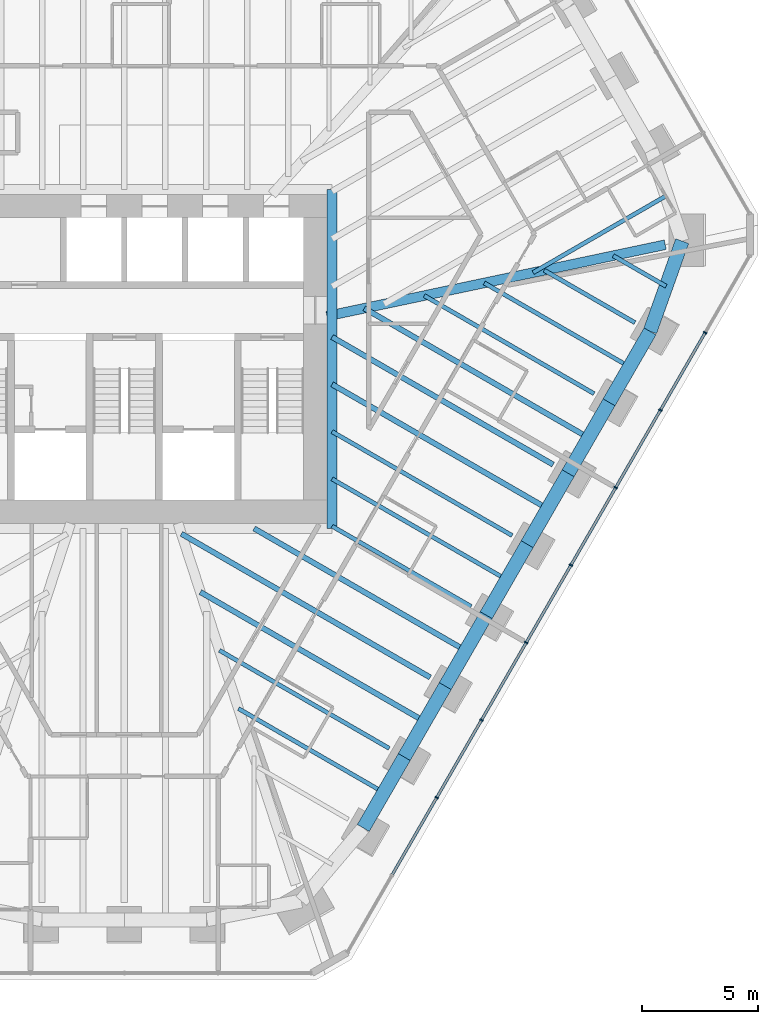
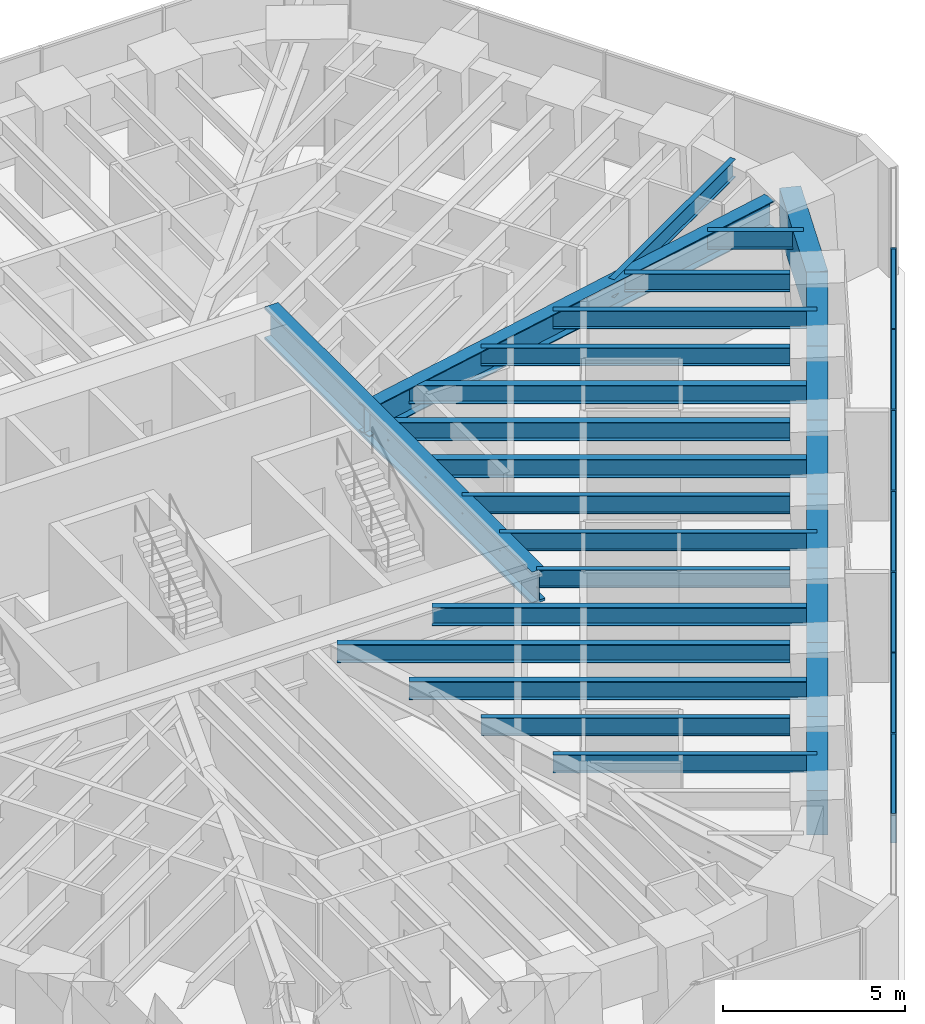
# One storey, part 5 of 16: 26 beams, 14 members, 1 element without a shape of its own.
"""IFC4 building model written with IfcOpenShell, lengths in metres."""

from ifc_helpers import new_model, si_unit, direction, frame, origin, origin_2d, place, context, subcontext, project, spatial, rectangle, i_section, extrude, material, material_profile, profile_set, type_object, element, aggregate, save


model = new_model("IFC4")

# Units and contexts
model_context = context("Model", 3, precision=1e-05, world=origin(), true_north=direction((0.0, 1.0)))
body_context = subcontext(model_context, "Body", "Model", "MODEL_VIEW")
ifc_project = project(units=[si_unit("LENGTHUNIT", "METRE"), si_unit("AREAUNIT", "SQUARE_METRE"), si_unit("VOLUMEUNIT", "CUBIC_METRE"), si_unit("PLANEANGLEUNIT", "RADIAN"), si_unit("MASSUNIT", "GRAM", prefix="KILO")], contexts=[model_context])

# Site, building, storey
site_placement = place(None, origin())
site = spatial("IfcSite", under=ifc_project, at=site_placement, CompositionType="ELEMENT")
building_placement = place(site_placement, origin())
building = spatial("IfcBuilding", under=site, at=building_placement, Name="Sandreach Pilgrim Tower", CompositionType="ELEMENT")
storey_placement = place(building_placement, frame((0.0, 0.0, 244.0)))
storey = spatial("IfcBuildingStorey", under=building, at=storey_placement, Name="L61", CompositionType="ELEMENT", Elevation=244.0)

# Curtain wall, members
ifc_material_1 = material(Name="Aluminium framed curtain wall", Category="aluminium")
curtain_wall_type = type_object("IfcCurtainWallType", Name="Upper hotel tower curtain wall", PredefinedType="NOTDEFINED", material=ifc_material_1)
curtain_wall_placement = place(storey_placement, origin())
curtain_wall = element("IfcCurtainWall", 1, at=curtain_wall_placement, inside=storey, type_object=curtain_wall_type, Name="CW-3 L61 SE", PredefinedType="NOTDEFINED")
ifc_material_2 = material(Name="Aluminium extrusion", Category="aluminium")
ifc_material_profile_1 = material_profile(ifc_material_2, rectangle(XDim=0.06494140625, YDim=0.159912109375, at=origin_2d()), Name="CW-3M 65X160")
ifc_profile_set_1 = profile_set([ifc_material_profile_1], Name="Aluminium extrusion")
member_type_1 = type_object("IfcMemberType", Name="CW-3 mullion", PredefinedType="MULLION", material=ifc_profile_set_1)
member_1_placement = place(storey_placement, frame((25.087890625, 1.13330078125, 0.0), z_axis=(0.0, 0.0, 1.0), x_axis=(-0.5, -0.866025403784, 0.0)))
member_1 = element("IfcMember", 2, at=member_1_placement, type_object=member_type_1, Name="CW-3 mullion 2", PredefinedType="MULLION", context=body_context, shape_type="SweptSolid", body=[
    extrude(rectangle(XDim=0.06494140625, YDim=0.159912109375, at=origin_2d()), origin(), (0.0, 0.0, 1.0), 3.639892578125),
])
member_2_placement = place(storey_placement, frame((23.15576171875, -2.21337890625, 0.0), z_axis=(0.0, 0.0, 1.0), x_axis=(-0.5, -0.866025403784, 0.0)))
member_2 = element("IfcMember", 3, at=member_2_placement, type_object=member_type_1, Name="CW-3 mullion 3", PredefinedType="MULLION", context=body_context, shape_type="SweptSolid", body=[
    extrude(rectangle(XDim=0.06494140625, YDim=0.159912109375, at=origin_2d()), origin(), (0.0, 0.0, 1.0), 3.639892578125),
])
member_3_placement = place(storey_placement, frame((21.223388671875, -5.56005859375, 0.0), z_axis=(0.0, 0.0, 1.0), x_axis=(-0.5, -0.866025403784, 0.0)))
member_3 = element("IfcMember", 4, at=member_3_placement, type_object=member_type_1, Name="CW-3 mullion 4", PredefinedType="MULLION", context=body_context, shape_type="SweptSolid", body=[
    extrude(rectangle(XDim=0.06494140625, YDim=0.159912109375, at=origin_2d()), origin(), (0.0, 0.0, 1.0), 3.639892578125),
])
member_4_placement = place(storey_placement, frame((19.291259765625, -8.90673828125, 0.0), z_axis=(0.0, 0.0, 1.0), x_axis=(-0.5, -0.866025403784, 0.0)))
member_4 = element("IfcMember", 5, at=member_4_placement, type_object=member_type_1, Name="CW-3 mullion 5", PredefinedType="MULLION", context=body_context, shape_type="SweptSolid", body=[
    extrude(rectangle(XDim=0.06494140625, YDim=0.159912109375, at=origin_2d()), origin(), (0.0, 0.0, 1.0), 3.639892578125),
])
member_5_placement = place(storey_placement, frame((17.359130859375, -12.25341796875, 0.0), z_axis=(0.0, 0.0, 1.0), x_axis=(-0.5, -0.866025403784, 0.0)))
member_5 = element("IfcMember", 6, at=member_5_placement, type_object=member_type_1, Name="CW-3 mullion 6", PredefinedType="MULLION", context=body_context, shape_type="SweptSolid", body=[
    extrude(rectangle(XDim=0.06494140625, YDim=0.159912109375, at=origin_2d()), origin(), (0.0, 0.0, 1.0), 3.639892578125),
])
member_6_placement = place(storey_placement, frame((15.4267578125, -15.60009765625, 0.0), z_axis=(0.0, 0.0, 1.0), x_axis=(-0.5, -0.866025403784, 0.0)))
member_6 = element("IfcMember", 7, at=member_6_placement, type_object=member_type_1, Name="CW-3 mullion 7", PredefinedType="MULLION", context=body_context, shape_type="SweptSolid", body=[
    extrude(rectangle(XDim=0.06494140625, YDim=0.159912109375, at=origin_2d()), origin(), (0.0, 0.0, 1.0), 3.639892578125),
])
member_7_placement = place(storey_placement, frame((13.49462890625, -18.94677734375, 0.0), z_axis=(0.0, 0.0, 1.0), x_axis=(-0.5, -0.866025403784, 0.0)))
member_7 = element("IfcMember", 8, at=member_7_placement, type_object=member_type_1, Name="CW-3 mullion 8", PredefinedType="MULLION", context=body_context, shape_type="SweptSolid", body=[
    extrude(rectangle(XDim=0.06494140625, YDim=0.159912109375, at=origin_2d()), origin(), (0.0, 0.0, 1.0), 3.639892578125),
])
ifc_material_3 = material(Name="Aluminium extrusion", Category="aluminium")
ifc_material_profile_2 = material_profile(ifc_material_3, rectangle(XDim=0.1201171875, YDim=0.070068359375, at=origin_2d()), Name="CW-3T 120X70")
ifc_profile_set_2 = profile_set([ifc_material_profile_2], Name="Aluminium extrusion")
member_type_2 = type_object("IfcMemberType", Name="CW-3 transom", PredefinedType="USERDEFINED", material=ifc_profile_set_2)
member_8_placement = place(storey_placement, frame((25.07177734375, 1.105224609375, 3.60498046875), z_axis=(-0.500022797313, -0.86601224135, 0.0), x_axis=(0.86601224135, -0.500022797313, 0.0)))
member_8 = element("IfcMember", 9, at=member_8_placement, type_object=member_type_2, Name="CW-3 head transom 2", ObjectType="TRANSOM", PredefinedType="USERDEFINED", context=body_context, shape_type="SweptSolid", body=[
    extrude(rectangle(XDim=0.1201171875, YDim=0.070068359375, at=origin_2d()), origin(), (0.0, 0.0, 1.0), 3.799560546875),
])
member_9_placement = place(storey_placement, frame((23.139404296875, -2.241455078125, 3.60498046875), z_axis=(-0.499974606132, -0.866040064445, 0.0), x_axis=(0.866040064445, -0.499974606132, 0.0)))
member_9 = element("IfcMember", 10, at=member_9_placement, type_object=member_type_2, Name="CW-3 head transom 3", ObjectType="TRANSOM", PredefinedType="USERDEFINED", context=body_context, shape_type="SweptSolid", body=[
    extrude(rectangle(XDim=0.1201171875, YDim=0.070068359375, at=origin_2d()), origin(), (0.0, 0.0, 1.0), 3.799560546875),
])
member_10_placement = place(storey_placement, frame((21.207275390625, -5.588134765625, 3.60498046875), z_axis=(-0.499974606132, -0.866040064445, 0.0), x_axis=(0.866040064445, -0.499974606132, 0.0)))
member_10 = element("IfcMember", 11, at=member_10_placement, type_object=member_type_2, Name="CW-3 head transom 4", ObjectType="TRANSOM", PredefinedType="USERDEFINED", context=body_context, shape_type="SweptSolid", body=[
    extrude(rectangle(XDim=0.1201171875, YDim=0.070068359375, at=origin_2d()), origin(), (0.0, 0.0, 1.0), 3.799560546875),
])
member_11_placement = place(storey_placement, frame((19.275146484375, -8.934814453125, 3.60498046875), z_axis=(-0.500022797313, -0.86601224135, 0.0), x_axis=(0.86601224135, -0.500022797313, 0.0)))
member_11 = element("IfcMember", 12, at=member_11_placement, type_object=member_type_2, Name="CW-3 head transom 5", ObjectType="TRANSOM", PredefinedType="USERDEFINED", context=body_context, shape_type="SweptSolid", body=[
    extrude(rectangle(XDim=0.1201171875, YDim=0.070068359375, at=origin_2d()), origin(), (0.0, 0.0, 1.0), 3.799560546875),
])
member_12_placement = place(storey_placement, frame((17.3427734375, -12.281494140625, 3.60498046875), z_axis=(-0.499974606132, -0.866040064445, 0.0), x_axis=(0.866040064445, -0.499974606132, 0.0)))
member_12 = element("IfcMember", 13, at=member_12_placement, type_object=member_type_2, Name="CW-3 head transom 6", ObjectType="TRANSOM", PredefinedType="USERDEFINED", context=body_context, shape_type="SweptSolid", body=[
    extrude(rectangle(XDim=0.1201171875, YDim=0.070068359375, at=origin_2d()), origin(), (0.0, 0.0, 1.0), 3.799560546875),
])
member_13_placement = place(storey_placement, frame((15.41064453125, -15.628173828125, 3.60498046875), z_axis=(-0.499974606132, -0.866040064445, 0.0), x_axis=(0.866040064445, -0.499974606132, 0.0)))
member_13 = element("IfcMember", 14, at=member_13_placement, type_object=member_type_2, Name="CW-3 head transom 7", ObjectType="TRANSOM", PredefinedType="USERDEFINED", context=body_context, shape_type="SweptSolid", body=[
    extrude(rectangle(XDim=0.1201171875, YDim=0.070068359375, at=origin_2d()), origin(), (0.0, 0.0, 1.0), 3.799560546875),
])
member_14_placement = place(storey_placement, frame((13.478515625, -18.974853515625, 3.60498046875), z_axis=(-0.500022797313, -0.86601224135, 0.0), x_axis=(0.86601224135, -0.500022797313, 0.0)))
member_14 = element("IfcMember", 15, at=member_14_placement, type_object=member_type_2, Name="CW-3 head transom 8", ObjectType="TRANSOM", PredefinedType="USERDEFINED", context=body_context, shape_type="SweptSolid", body=[
    extrude(rectangle(XDim=0.1201171875, YDim=0.070068359375, at=origin_2d()), origin(), (0.0, 0.0, 1.0), 3.799560546875),
])
aggregate(curtain_wall, [member_1, member_2, member_3, member_4, member_5, member_6, member_7, member_8, member_9, member_10, member_11, member_12, member_13, member_14])

# Beams
ifc_material_4 = material(Name="Steel ASTM A992 Grade 50", Category="steel")
ifc_material_profile_3 = material_profile(ifc_material_4, i_section(OverallWidth=0.424072265625, OverallDepth=1.09228515625, WebThickness=0.04541015625, FlangeThickness=0.08203125, at=origin_2d()), Name="W40X593")
ifc_profile_set_3 = profile_set([ifc_material_profile_3], Name="Steel ASTM A992 Grade 50")
beam_type_1 = type_object("IfcBeamType", Name="Core edge beam W40X593", PredefinedType="BEAM", material=ifc_profile_set_3)
beam_1_placement = place(storey_placement, frame((8.97216796875, 7.322021484375, 3.093994140625), z_axis=(0.0, -1.0, 0.0), x_axis=(1.0, 0.0, 0.0)))
element("IfcBeam", 16, at=beam_1_placement, inside=storey, type_object=beam_type_1, Name="BM L61 CEE", PredefinedType="BEAM", context=body_context, shape_type="SweptSolid", body=[
    extrude(i_section(OverallWidth=0.424072265625, OverallDepth=1.09228515625, WebThickness=0.04541015625, FlangeThickness=0.08203125, at=origin_2d()), origin(), (0.0, 0.0, 1.0), 14.64404296875),
])
ifc_material_5 = material(Name="Steel ASTM A992 Grade 50", Category="steel")
ifc_material_profile_4 = material_profile(ifc_material_5, i_section(OverallWidth=0.419189453125, OverallDepth=0.927001953125, WebThickness=0.019287109375, FlangeThickness=0.031982421875, at=origin_2d()), Name="W36X231")
ifc_profile_set_4 = profile_set([ifc_material_profile_4], Name="Steel ASTM A992 Grade 50")
beam_type_2 = type_object("IfcBeamType", Name="Corner girder W36X231", PredefinedType="BEAM", material=ifc_profile_set_4)
beam_2_placement = place(storey_placement, frame((23.36328125, 4.932861328125, 3.176513671875), z_axis=(-0.978428557477, -0.206585473627, 0.0), x_axis=(0.206585473627, -0.978428557477, 0.0)))
element("IfcBeam", 17, at=beam_2_placement, inside=storey, type_object=beam_type_2, Name="BM L61 CG13", PredefinedType="BEAM", context=body_context, shape_type="SweptSolid", body=[
    extrude(i_section(OverallWidth=0.419189453125, OverallDepth=0.927001953125, WebThickness=0.019287109375, FlangeThickness=0.031982421875, at=origin_2d()), origin(), (0.0, 0.0, 1.0), 14.935546875),
])
ifc_material_6 = material(Name="Steel ASTM A992 Grade 50", Category="steel")
ifc_material_profile_5 = material_profile(ifc_material_6, i_section(OverallWidth=0.1787109375, OverallDepth=0.60205078125, WebThickness=0.010986328125, FlangeThickness=0.014892578125, at=origin_2d()), Name="W24X62")
ifc_profile_set_5 = profile_set([ifc_material_profile_5], Name="Steel ASTM A992 Grade 50")
beam_type_3 = type_object("IfcBeamType", Name="Floor beam W24X62", PredefinedType="BEAM", material=ifc_profile_set_5)
beam_3_placement = place(storey_placement, frame((22.05712890625, 1.5654296875, 3.339111328125), z_axis=(-0.866044611749, 0.499966729353, 0.0), x_axis=(-0.499966729353, -0.866044611749, 0.0)))
element("IfcBeam", 18, at=beam_3_placement, inside=storey, type_object=beam_type_3, Name="BM L61 F14", PredefinedType="BEAM", context=body_context, shape_type="SweptSolid", body=[
    extrude(i_section(OverallWidth=0.1787109375, OverallDepth=0.60205078125, WebThickness=0.010986328125, FlangeThickness=0.014892578125, at=origin_2d()), origin(), (0.0, 0.0, 1.0), 4.527587890625),
])
beam_4_placement = place(storey_placement, frame((20.287841796875, -1.4990234375, 3.339111328125), z_axis=(-0.86601850482, 0.500011949167, 0.0), x_axis=(-0.500011949167, -0.86601850482, 0.0)))
element("IfcBeam", 19, at=beam_4_placement, inside=storey, type_object=beam_type_3, Name="BM L61 F15", PredefinedType="BEAM", context=body_context, shape_type="SweptSolid", body=[
    extrude(i_section(OverallWidth=0.1787109375, OverallDepth=0.60205078125, WebThickness=0.010986328125, FlangeThickness=0.014892578125, at=origin_2d()), origin(), (0.0, 0.0, 1.0), 8.468017578125),
])
beam_5_placement = place(storey_placement, frame((16.74951171875, -7.62744140625, 3.339111328125), z_axis=(-0.866026229868, 0.499998569178, 0.0), x_axis=(-0.499998569178, -0.866026229868, 0.0)))
element("IfcBeam", 20, at=beam_5_placement, inside=storey, type_object=beam_type_3, Name="BM L61 F17", PredefinedType="BEAM", context=body_context, shape_type="SweptSolid", body=[
    extrude(i_section(OverallWidth=0.1787109375, OverallDepth=0.60205078125, WebThickness=0.010986328125, FlangeThickness=0.014892578125, at=origin_2d()), origin(), (0.0, 0.0, 1.0), 8.98046875),
])
beam_6_placement = place(storey_placement, frame((14.98046875, -10.69189453125, 3.339111328125), z_axis=(-0.866019158203, 0.500010817509, 0.0), x_axis=(-0.500010817509, -0.866019158203, 0.0)))
element("IfcBeam", 21, at=beam_6_placement, inside=storey, type_object=beam_type_3, Name="BM L61 F18", PredefinedType="BEAM", context=body_context, shape_type="SweptSolid", body=[
    extrude(i_section(OverallWidth=0.1787109375, OverallDepth=0.60205078125, WebThickness=0.010986328125, FlangeThickness=0.014892578125, at=origin_2d()), origin(), (0.0, 0.0, 1.0), 6.937744140625),
])
beam_7_placement = place(storey_placement, frame((11.442138671875, -16.8203125, 3.339111328125), z_axis=(-0.866038196262, 0.499977842124, 0.0), x_axis=(-0.499977842124, -0.866038196262, 0.0)))
element("IfcBeam", 22, at=beam_7_placement, inside=storey, type_object=beam_type_3, Name="BM L61 F20", PredefinedType="BEAM", context=body_context, shape_type="SweptSolid", body=[
    extrude(i_section(OverallWidth=0.1787109375, OverallDepth=0.60205078125, WebThickness=0.010986328125, FlangeThickness=0.014892578125, at=origin_2d()), origin(), (0.0, 0.0, 1.0), 8.46826171875),
])
beam_8_placement = place(storey_placement, frame((23.428466796875, 7.059814453125, 3.339111328125), z_axis=(-0.866022679971, -0.500004717754, 0.0), x_axis=(0.500004717754, -0.866022679971, 0.0)))
element("IfcBeam", 23, at=beam_8_placement, inside=storey, type_object=beam_type_3, Name="BM L61 FM12", PredefinedType="BEAM", context=body_context, shape_type="SweptSolid", body=[
    extrude(i_section(OverallWidth=0.1787109375, OverallDepth=0.60205078125, WebThickness=0.010986328125, FlangeThickness=0.014892578125, at=origin_2d()), origin(), (0.0, 0.0, 1.0), 6.66357421875),
])
beam_9_placement = place(storey_placement, frame((23.40185546875, 3.138916015625, 3.339111328125), z_axis=(-0.866008413041, 0.500029427677, 0.0), x_axis=(-0.500029427677, -0.866008413041, 0.0)))
element("IfcBeam", 24, at=beam_9_placement, inside=storey, type_object=beam_type_3, Name="BM L61 FM13", PredefinedType="BEAM", context=body_context, shape_type="SweptSolid", body=[
    extrude(i_section(OverallWidth=0.1787109375, OverallDepth=0.60205078125, WebThickness=0.010986328125, FlangeThickness=0.014892578125, at=origin_2d()), origin(), (0.0, 0.0, 1.0), 2.638916015625),
])
beam_10_placement = place(storey_placement, frame((21.822021484375, -0.341796875, 3.339111328125), z_axis=(-0.866035255258, 0.499982936359, 0.0), x_axis=(-0.499982936359, -0.866035255258, 0.0)))
element("IfcBeam", 25, at=beam_10_placement, inside=storey, type_object=beam_type_3, Name="BM L61 FM14", PredefinedType="BEAM", context=body_context, shape_type="SweptSolid", body=[
    extrude(i_section(OverallWidth=0.1787109375, OverallDepth=0.60205078125, WebThickness=0.010986328125, FlangeThickness=0.014892578125, at=origin_2d()), origin(), (0.0, 0.0, 1.0), 7.247802734375),
])
beam_11_placement = place(storey_placement, frame((16.514404296875, -9.53466796875, 3.339111328125), z_axis=(-0.866014258786, 0.500019303207, 0.0), x_axis=(-0.500019303207, -0.866014258786, 0.0)))
element("IfcBeam", 26, at=beam_11_placement, inside=storey, type_object=beam_type_3, Name="BM L61 FM17", PredefinedType="BEAM", context=body_context, shape_type="SweptSolid", body=[
    extrude(i_section(OverallWidth=0.1787109375, OverallDepth=0.60205078125, WebThickness=0.010986328125, FlangeThickness=0.014892578125, at=origin_2d()), origin(), (0.0, 0.0, 1.0), 8.709228515625),
])
beam_12_placement = place(storey_placement, frame((11.20703125, -18.7275390625, 3.339111328125), z_axis=(-0.866020669537, 0.500008199868, 0.0), x_axis=(-0.500008199868, -0.866020669537, 0.0)))
element("IfcBeam", 27, at=beam_12_placement, inside=storey, type_object=beam_type_3, Name="BM L61 FM20", PredefinedType="BEAM", context=body_context, shape_type="SweptSolid", body=[
    extrude(i_section(OverallWidth=0.1787109375, OverallDepth=0.60205078125, WebThickness=0.010986328125, FlangeThickness=0.014892578125, at=origin_2d()), origin(), (0.0, 0.0, 1.0), 7.248046875),
])
ifc_material_7 = material(Name="Steel ASTM A992 Grade 50", Category="steel")
ifc_material_profile_6 = material_profile(ifc_material_7, i_section(OverallWidth=0.23046875, OverallDepth=0.6171875, WebThickness=0.01318359375, FlangeThickness=0.022216796875, at=origin_2d()), Name="W24X94")
ifc_profile_set_6 = profile_set([ifc_material_profile_6], Name="Steel ASTM A992 Grade 50")
beam_type_4 = type_object("IfcBeamType", Name="Floor beam W24X94", PredefinedType="BEAM", material=ifc_profile_set_6)
beam_13_placement = place(storey_placement, frame((18.518798828125, -4.563232421875, 3.331298828125), z_axis=(-0.866026627246, 0.499997880897, 0.0), x_axis=(-0.499997880897, -0.866026627246, 0.0)))
element("IfcBeam", 28, at=beam_13_placement, inside=storey, type_object=beam_type_4, Name="BM L61 F16", PredefinedType="BEAM", context=body_context, shape_type="SweptSolid", body=[
    extrude(i_section(OverallWidth=0.23046875, OverallDepth=0.6171875, WebThickness=0.01318359375, FlangeThickness=0.022216796875, at=origin_2d()), origin(), (0.0, 0.0, 1.0), 11.0234375),
])
beam_14_placement = place(storey_placement, frame((13.211181640625, -13.756103515625, 3.331298828125), z_axis=(-0.866022417212, 0.50000517286, 0.0), x_axis=(-0.50000517286, -0.866022417212, 0.0)))
element("IfcBeam", 29, at=beam_14_placement, inside=storey, type_object=beam_type_4, Name="BM L61 F19", PredefinedType="BEAM", context=body_context, shape_type="SweptSolid", body=[
    extrude(i_section(OverallWidth=0.23046875, OverallDepth=0.6171875, WebThickness=0.01318359375, FlangeThickness=0.022216796875, at=origin_2d()), origin(), (0.0, 0.0, 1.0), 12.408447265625),
])
beam_15_placement = place(storey_placement, frame((20.052734375, -3.406005859375, 3.331298828125), z_axis=(-0.866028239721, 0.499995087982, 0.0), x_axis=(-0.499995087982, -0.866028239721, 0.0)))
element("IfcBeam", 30, at=beam_15_placement, inside=storey, type_object=beam_type_4, Name="BM L61 FM15", PredefinedType="BEAM", context=body_context, shape_type="SweptSolid", body=[
    extrude(i_section(OverallWidth=0.23046875, OverallDepth=0.6171875, WebThickness=0.01318359375, FlangeThickness=0.022216796875, at=origin_2d()), origin(), (0.0, 0.0, 1.0), 11.18798828125),
])
beam_16_placement = place(storey_placement, frame((18.28369140625, -6.470458984375, 3.331298828125), z_axis=(-0.866016940845, 0.500014657954, 0.0), x_axis=(-0.500014657954, -0.866016940845, 0.0)))
element("IfcBeam", 31, at=beam_16_placement, inside=storey, type_object=beam_type_4, Name="BM L61 FM16", PredefinedType="BEAM", context=body_context, shape_type="SweptSolid", body=[
    extrude(i_section(OverallWidth=0.23046875, OverallDepth=0.6171875, WebThickness=0.01318359375, FlangeThickness=0.022216796875, at=origin_2d()), origin(), (0.0, 0.0, 1.0), 10.752197265625),
])
beam_17_placement = place(storey_placement, frame((14.745361328125, -12.598876953125, 3.331298828125), z_axis=(-0.866028028466, 0.49999545389, 0.0), x_axis=(-0.49999545389, -0.866028028466, 0.0)))
element("IfcBeam", 32, at=beam_17_placement, inside=storey, type_object=beam_type_4, Name="BM L61 FM18", PredefinedType="BEAM", context=body_context, shape_type="SweptSolid", body=[
    extrude(i_section(OverallWidth=0.23046875, OverallDepth=0.6171875, WebThickness=0.01318359375, FlangeThickness=0.022216796875, at=origin_2d()), origin(), (0.0, 0.0, 1.0), 10.5537109375),
])
beam_18_placement = place(storey_placement, frame((12.97607421875, -15.663330078125, 3.331298828125), z_axis=(-0.866018790762, 0.500011453915, 0.0), x_axis=(-0.500011453915, -0.866018790762, 0.0)))
element("IfcBeam", 33, at=beam_18_placement, inside=storey, type_object=beam_type_4, Name="BM L61 FM19", PredefinedType="BEAM", context=body_context, shape_type="SweptSolid", body=[
    extrude(i_section(OverallWidth=0.23046875, OverallDepth=0.6171875, WebThickness=0.01318359375, FlangeThickness=0.022216796875, at=origin_2d()), origin(), (0.0, 0.0, 1.0), 11.188232421875),
])
ifc_material_8 = material(Name="Concrete 10000 psi", Category="concrete")
ifc_material_profile_7 = material_profile(ifc_material_8, rectangle(XDim=0.60009765625, YDim=1.5, at=origin_2d()), Name="RC600X1500")
ifc_profile_set_7 = profile_set([ifc_material_profile_7], Name="Concrete 10000 psi")
beam_type_5 = type_object("IfcBeamType", Name="Spandrel beam RC600X1500", PredefinedType="SPANDREL", material=ifc_profile_set_7)
beam_19_placement = place(storey_placement, frame((24.09716796875, 5.087646484375, 2.889892578125), z_axis=(-0.336071011592, -0.941836649938, 0.0), x_axis=(0.941836649938, -0.336071011592, 0.0)))
element("IfcBeam", 34, at=beam_19_placement, inside=storey, type_object=beam_type_5, Name="BM L61 SP13", PredefinedType="SPANDREL", context=body_context, shape_type="SweptSolid", body=[
    extrude(rectangle(XDim=0.60009765625, YDim=1.5, at=origin_2d()), origin(), (0.0, 0.0, 1.0), 4.137939453125),
])
for number, where, z_axis, x_axis, name in (
    (35, (22.70654296875, 1.1904296875, 2.889892578125), (-0.49995339624, -0.866052308806, 0.0), (0.866052308806, -0.49995339624, 0.0), "BM L61 SP14"),
    (36, (20.9375, -1.8740234375, 2.889892578125), (-0.500035021952, -0.866005182907, 0.0), (0.866005182907, -0.500035021952, 0.0), "BM L61 SP15"),
):
    element("IfcBeam", number, at=place(storey_placement, frame(where, z_axis=z_axis, x_axis=x_axis)), inside=storey, type_object=beam_type_5, Name=name, PredefinedType="SPANDREL", context=body_context, shape_type="SweptSolid", body=[
        extrude(rectangle(XDim=0.60009765625, YDim=1.5, at=origin_2d()), origin(), (0.0, 0.0, 1.0), 3.538330078125),
    ])
beam_20_placement = place(storey_placement, frame((19.168212890625, -4.938232421875, 2.889892578125), z_axis=(-0.499983272517, -0.866035061186, 0.0), x_axis=(0.866035061186, -0.499983272517, 0.0)))
element("IfcBeam", 37, at=beam_20_placement, inside=storey, type_object=beam_type_5, Name="BM L61 SP16", PredefinedType="SPANDREL", context=body_context, shape_type="SweptSolid", body=[
    extrude(rectangle(XDim=0.60009765625, YDim=1.5, at=origin_2d()), origin(), (0.0, 0.0, 1.0), 3.5380859375),
])
beam_21_placement = place(storey_placement, frame((17.399169921875, -8.00244140625, 2.889892578125), z_axis=(-0.500005144645, -0.866022433502, 0.0), x_axis=(0.866022433502, -0.500005144645, 0.0)))
element("IfcBeam", 38, at=beam_21_placement, inside=storey, type_object=beam_type_5, Name="BM L61 SP17", PredefinedType="SPANDREL", context=body_context, shape_type="SweptSolid", body=[
    extrude(rectangle(XDim=0.60009765625, YDim=1.5, at=origin_2d()), origin(), (0.0, 0.0, 1.0), 3.53857421875),
])
beam_22_placement = place(storey_placement, frame((15.6298828125, -11.06689453125, 2.889892578125), z_axis=(-0.499983272517, -0.866035061186, 0.0), x_axis=(0.866035061186, -0.499983272517, 0.0)))
element("IfcBeam", 39, at=beam_22_placement, inside=storey, type_object=beam_type_5, Name="BM L61 SP18", PredefinedType="SPANDREL", context=body_context, shape_type="SweptSolid", body=[
    extrude(rectangle(XDim=0.60009765625, YDim=1.5, at=origin_2d()), origin(), (0.0, 0.0, 1.0), 3.5380859375),
])
beam_23_placement = place(storey_placement, frame((13.86083984375, -14.131103515625, 2.889892578125), z_axis=(-0.500035021952, -0.866005182907, 0.0), x_axis=(0.866005182907, -0.500035021952, 0.0)))
element("IfcBeam", 40, at=beam_23_placement, inside=storey, type_object=beam_type_5, Name="BM L61 SP19", PredefinedType="SPANDREL", context=body_context, shape_type="SweptSolid", body=[
    extrude(rectangle(XDim=0.60009765625, YDim=1.5, at=origin_2d()), origin(), (0.0, 0.0, 1.0), 3.538330078125),
])
beam_24_placement = place(storey_placement, frame((12.091552734375, -17.1953125, 2.889892578125), z_axis=(-0.499983272517, -0.866035061186, 0.0), x_axis=(0.866035061186, -0.499983272517, 0.0)))
element("IfcBeam", 41, at=beam_24_placement, inside=storey, type_object=beam_type_5, Name="BM L61 SP20", PredefinedType="SPANDREL", context=body_context, shape_type="SweptSolid", body=[
    extrude(rectangle(XDim=0.60009765625, YDim=1.5, at=origin_2d()), origin(), (0.0, 0.0, 1.0), 3.5380859375),
])

save(model, "model.ifc")
